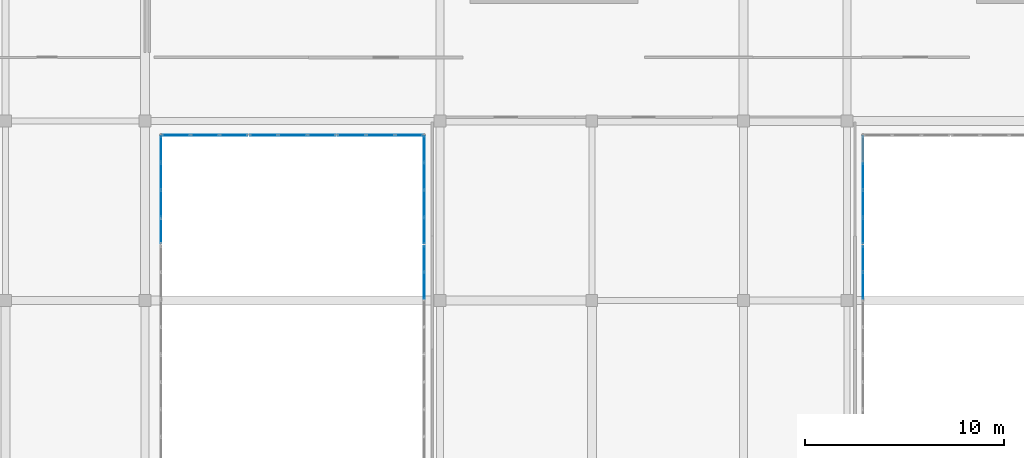
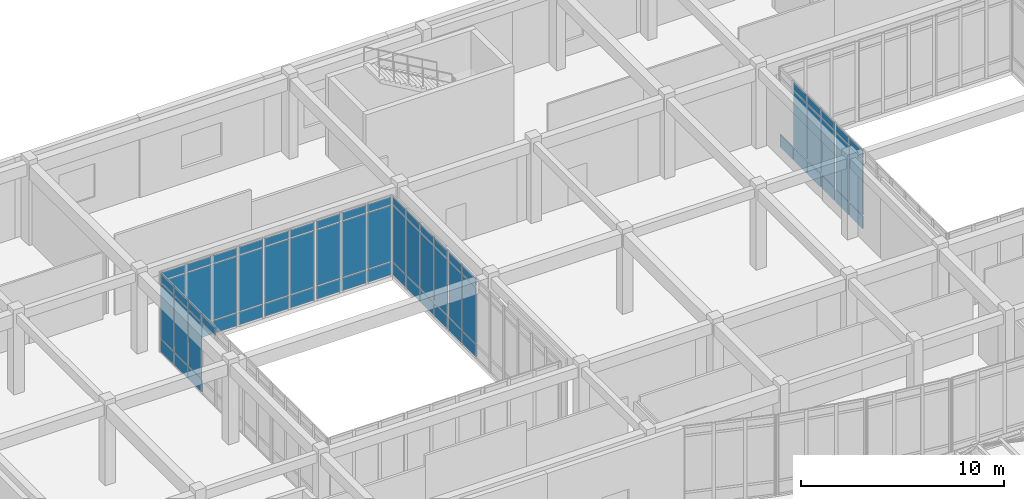
# One storey, part 86 of 121: 71 plates, 8 elements without a shape of their own.
"""IFC4 building model written with IfcOpenShell, lengths in metres."""

from ifc_helpers import new_model, si_unit, direction, frame, origin, origin_2d, place, context, subcontext, project, spatial, rectangle, extrude, material, layer, layer_set, type_object, element, aggregate, save


model = new_model("IFC4")

# Units and contexts
model_context = context("Model", 3, precision=1e-05, world=origin(), true_north=direction((0.0, 1.0)))
body_context = subcontext(model_context, "Body", "Model", "MODEL_VIEW")
ifc_project = project(units=[si_unit("LENGTHUNIT", "METRE"), si_unit("AREAUNIT", "SQUARE_METRE"), si_unit("VOLUMEUNIT", "CUBIC_METRE"), si_unit("PLANEANGLEUNIT", "RADIAN"), si_unit("MASSUNIT", "GRAM", prefix="KILO")], contexts=[model_context])

# Site, building, storey
site_placement = place(None, origin())
site = spatial("IfcSite", under=ifc_project, at=site_placement, CompositionType="ELEMENT")
building_placement = place(site_placement, origin())
building = spatial("IfcBuilding", under=site, at=building_placement, Name="Valcora Specialist Clinic", CompositionType="ELEMENT")
storey_placement = place(building_placement, origin())
storey = spatial("IfcBuildingStorey", under=building, at=storey_placement, Name="L00", CompositionType="ELEMENT", Elevation=0.0)

# Curtain wall, plates
ifc_material_1 = material(Name="Anodized Bronze Aluminium 6063-T6", Category="aluminium")
ifc_layer_1 = layer(ifc_material_1, 0.175048828125)
ifc_layer_set_1 = layer_set([ifc_layer_1], Name="Anodized Bronze Aluminium 6063-T6")
curtain_wall_type = type_object("IfcCurtainWallType", Name="TY-CW-CRT15", PredefinedType="NOTDEFINED", material=ifc_layer_set_1)
curtain_wall_1_placement = place(storey_placement, origin())
curtain_wall_1 = element("IfcCurtainWall", 1, at=curtain_wall_1_placement, inside=storey, type_object=curtain_wall_type, Name="Curtain wall CW-L00-034", PredefinedType="NOTDEFINED")
ifc_material_2 = material(Name="Low-E Laminated Insulating Glass", Category="glass")
ifc_layer_2 = layer(ifc_material_2, 0.028076171875)
ifc_layer_set_2 = layer_set([ifc_layer_2], Name="Low-E Laminated Insulating Glass")
plate_type_1 = type_object("IfcPlateType", Name="TY-CWP-GLZ28", PredefinedType="CURTAIN_PANEL", material=ifc_layer_set_2)
plate_1_placement = place(storey_placement, frame((90.0, 93.703857421875, 0.88232421875), z_axis=(0.0, 0.0, 1.0), x_axis=(0.0, 1.0, 0.0)))
plate_1 = element("IfcPlate", 2, at=plate_1_placement, type_object=plate_type_1, Name="CW-CRT-15 panel 1.2", PredefinedType="CURTAIN_PANEL", context=body_context, shape_type="SweptSolid", body=[
    extrude(rectangle(XDim=1.277587890625, YDim=0.028076171875, at=origin_2d()), origin(), (0.0, 0.0, 1.0), 3.344970703125),
])
plate_2_placement = place(storey_placement, frame((90.0, 93.703857421875, 4.29248046875), z_axis=(0.0, 0.0, 1.0), x_axis=(0.0, 1.0, 0.0)))
plate_2 = element("IfcPlate", 3, at=plate_2_placement, type_object=plate_type_1, Name="CW-CRT-15 panel 1.3", PredefinedType="CURTAIN_PANEL", context=body_context, shape_type="SweptSolid", body=[
    extrude(rectangle(XDim=1.277587890625, YDim=0.028076171875, at=origin_2d()), origin(), (0.0, 0.0, 1.0), 0.452392578125),
])
plate_3_placement = place(storey_placement, frame((90.0, 95.0625, 0.88232421875), z_axis=(0.0, 0.0, 1.0), x_axis=(0.0, 1.0, 0.0)))
plate_3 = element("IfcPlate", 4, at=plate_3_placement, type_object=plate_type_1, Name="CW-CRT-15 panel 2.2", PredefinedType="CURTAIN_PANEL", context=body_context, shape_type="SweptSolid", body=[
    extrude(rectangle(XDim=1.31005859375, YDim=0.028076171875, at=origin_2d()), origin(), (0.0, 0.0, 1.0), 3.344970703125),
])
plate_4_placement = place(storey_placement, frame((90.0, 95.0625, 4.29248046875), z_axis=(0.0, 0.0, 1.0), x_axis=(0.0, 1.0, 0.0)))
plate_4 = element("IfcPlate", 5, at=plate_4_placement, type_object=plate_type_1, Name="CW-CRT-15 panel 2.3", PredefinedType="CURTAIN_PANEL", context=body_context, shape_type="SweptSolid", body=[
    extrude(rectangle(XDim=1.31005859375, YDim=0.028076171875, at=origin_2d()), origin(), (0.0, 0.0, 1.0), 0.452392578125),
])
plate_5_placement = place(storey_placement, frame((90.0, 96.4375, 0.88232421875), z_axis=(0.0, 0.0, 1.0), x_axis=(0.0, 1.0, 0.0)))
plate_5 = element("IfcPlate", 6, at=plate_5_placement, type_object=plate_type_1, Name="CW-CRT-15 panel 3.2", PredefinedType="CURTAIN_PANEL", context=body_context, shape_type="SweptSolid", body=[
    extrude(rectangle(XDim=1.31005859375, YDim=0.028076171875, at=origin_2d()), origin(), (0.0, 0.0, 1.0), 3.344970703125),
])
plate_6_placement = place(storey_placement, frame((90.0, 96.4375, 4.29248046875), z_axis=(0.0, 0.0, 1.0), x_axis=(0.0, 1.0, 0.0)))
plate_6 = element("IfcPlate", 7, at=plate_6_placement, type_object=plate_type_1, Name="CW-CRT-15 panel 3.3", PredefinedType="CURTAIN_PANEL", context=body_context, shape_type="SweptSolid", body=[
    extrude(rectangle(XDim=1.31005859375, YDim=0.028076171875, at=origin_2d()), origin(), (0.0, 0.0, 1.0), 0.452392578125),
])
plate_7_placement = place(storey_placement, frame((90.0, 97.796142578125, 0.88232421875), z_axis=(0.0, 0.0, 1.0), x_axis=(0.0, 1.0, 0.0)))
plate_7 = element("IfcPlate", 8, at=plate_7_placement, type_object=plate_type_1, Name="CW-CRT-15 panel 4.2", PredefinedType="CURTAIN_PANEL", context=body_context, shape_type="SweptSolid", body=[
    extrude(rectangle(XDim=1.277587890625, YDim=0.028076171875, at=origin_2d()), origin(), (0.0, 0.0, 1.0), 3.344970703125),
])
plate_8_placement = place(storey_placement, frame((90.0, 97.796142578125, 4.29248046875), z_axis=(0.0, 0.0, 1.0), x_axis=(0.0, 1.0, 0.0)))
plate_8 = element("IfcPlate", 9, at=plate_8_placement, type_object=plate_type_1, Name="CW-CRT-15 panel 4.3", PredefinedType="CURTAIN_PANEL", context=body_context, shape_type="SweptSolid", body=[
    extrude(rectangle(XDim=1.277587890625, YDim=0.028076171875, at=origin_2d()), origin(), (0.0, 0.0, 1.0), 0.452392578125),
])

curtain_wall_2_placement = place(storey_placement, origin())
curtain_wall_2 = element("IfcCurtainWall", 10, at=curtain_wall_2_placement, inside=storey, type_object=curtain_wall_type, Name="Curtain wall CW-L00-036", PredefinedType="NOTDEFINED")
plate_9_placement = place(storey_placement, frame((84.850341796875, 98.5, 0.88232421875), z_axis=(0.0, 0.0, 1.0), x_axis=(-1.0, 0.0, 0.0)))
plate_9 = element("IfcPlate", 11, at=plate_9_placement, type_object=plate_type_1, Name="CW-CRT-15 panel 1.2", PredefinedType="CURTAIN_PANEL", context=body_context, shape_type="SweptSolid", body=[
    extrude(rectangle(XDim=1.369140625, YDim=0.028076171875, at=origin_2d()), origin(), (0.0, 0.0, 1.0), 3.344970703125),
])
plate_10_placement = place(storey_placement, frame((84.850341796875, 98.5, 4.29248046875), z_axis=(0.0, 0.0, 1.0), x_axis=(-1.0, 0.0, 0.0)))
plate_10 = element("IfcPlate", 12, at=plate_10_placement, type_object=plate_type_1, Name="CW-CRT-15 panel 1.3", PredefinedType="CURTAIN_PANEL", context=body_context, shape_type="SweptSolid", body=[
    extrude(rectangle(XDim=1.369140625, YDim=0.028076171875, at=origin_2d()), origin(), (0.0, 0.0, 1.0), 0.452392578125),
])
plate_11_placement = place(storey_placement, frame((83.39990234375, 98.5, 0.88232421875), z_axis=(0.0, 0.0, 1.0), x_axis=(-1.0, 0.0, 0.0)))
plate_11 = element("IfcPlate", 13, at=plate_11_placement, type_object=plate_type_1, Name="CW-CRT-15 panel 2.2", PredefinedType="CURTAIN_PANEL", context=body_context, shape_type="SweptSolid", body=[
    extrude(rectangle(XDim=1.401611328125, YDim=0.028076171875, at=origin_2d()), origin(), (0.0, 0.0, 1.0), 3.344970703125),
])
plate_12_placement = place(storey_placement, frame((83.39990234375, 98.5, 4.29248046875), z_axis=(0.0, 0.0, 1.0), x_axis=(-1.0, 0.0, 0.0)))
plate_12 = element("IfcPlate", 14, at=plate_12_placement, type_object=plate_type_1, Name="CW-CRT-15 panel 2.3", PredefinedType="CURTAIN_PANEL", context=body_context, shape_type="SweptSolid", body=[
    extrude(rectangle(XDim=1.401611328125, YDim=0.028076171875, at=origin_2d()), origin(), (0.0, 0.0, 1.0), 0.452392578125),
])
plate_13_placement = place(storey_placement, frame((81.949462890625, 98.5, 0.88232421875), z_axis=(0.0, 0.0, 1.0), x_axis=(-1.0, 0.0, 0.0)))
plate_13 = element("IfcPlate", 15, at=plate_13_placement, type_object=plate_type_1, Name="CW-CRT-15 panel 3.2", PredefinedType="CURTAIN_PANEL", context=body_context, shape_type="SweptSolid", body=[
    extrude(rectangle(XDim=1.369140625, YDim=0.028076171875, at=origin_2d()), origin(), (0.0, 0.0, 1.0), 3.344970703125),
])
plate_14_placement = place(storey_placement, frame((81.949462890625, 98.5, 4.29248046875), z_axis=(0.0, 0.0, 1.0), x_axis=(-1.0, 0.0, 0.0)))
plate_14 = element("IfcPlate", 16, at=plate_14_placement, type_object=plate_type_1, Name="CW-CRT-15 panel 3.3", PredefinedType="CURTAIN_PANEL", context=body_context, shape_type="SweptSolid", body=[
    extrude(rectangle(XDim=1.369140625, YDim=0.028076171875, at=origin_2d()), origin(), (0.0, 0.0, 1.0), 0.452392578125),
])

curtain_wall_3_placement = place(storey_placement, origin())
curtain_wall_3 = element("IfcCurtainWall", 17, at=curtain_wall_3_placement, inside=storey, type_object=curtain_wall_type, Name="Curtain wall CW-L00-038", PredefinedType="NOTDEFINED")
plate_15_placement = place(storey_placement, frame((76.800048828125, 97.796142578125, 0.88232421875), z_axis=(0.0, 0.0, 1.0), x_axis=(0.0, -1.0, 0.0)))
plate_15 = element("IfcPlate", 18, at=plate_15_placement, type_object=plate_type_1, Name="CW-CRT-15 panel 1.2", PredefinedType="CURTAIN_PANEL", context=body_context, shape_type="SweptSolid", body=[
    extrude(rectangle(XDim=1.277587890625, YDim=0.028076171875, at=origin_2d()), origin(), (0.0, 0.0, 1.0), 3.344970703125),
])
plate_16_placement = place(storey_placement, frame((76.800048828125, 97.796142578125, 4.29248046875), z_axis=(0.0, 0.0, 1.0), x_axis=(0.0, -1.0, 0.0)))
plate_16 = element("IfcPlate", 19, at=plate_16_placement, type_object=plate_type_1, Name="CW-CRT-15 panel 1.3", PredefinedType="CURTAIN_PANEL", context=body_context, shape_type="SweptSolid", body=[
    extrude(rectangle(XDim=1.277587890625, YDim=0.028076171875, at=origin_2d()), origin(), (0.0, 0.0, 1.0), 0.452392578125),
])
plate_17_placement = place(storey_placement, frame((76.800048828125, 96.4375, 0.88232421875), z_axis=(0.0, 0.0, 1.0), x_axis=(0.0, -1.0, 0.0)))
plate_17 = element("IfcPlate", 20, at=plate_17_placement, type_object=plate_type_1, Name="CW-CRT-15 panel 2.2", PredefinedType="CURTAIN_PANEL", context=body_context, shape_type="SweptSolid", body=[
    extrude(rectangle(XDim=1.31005859375, YDim=0.028076171875, at=origin_2d()), origin(), (0.0, 0.0, 1.0), 3.344970703125),
])
plate_18_placement = place(storey_placement, frame((76.800048828125, 96.4375, 4.29248046875), z_axis=(0.0, 0.0, 1.0), x_axis=(0.0, -1.0, 0.0)))
plate_18 = element("IfcPlate", 21, at=plate_18_placement, type_object=plate_type_1, Name="CW-CRT-15 panel 2.3", PredefinedType="CURTAIN_PANEL", context=body_context, shape_type="SweptSolid", body=[
    extrude(rectangle(XDim=1.31005859375, YDim=0.028076171875, at=origin_2d()), origin(), (0.0, 0.0, 1.0), 0.452392578125),
])
plate_19_placement = place(storey_placement, frame((76.800048828125, 95.0625, 0.88232421875), z_axis=(0.0, 0.0, 1.0), x_axis=(0.0, -1.0, 0.0)))
plate_19 = element("IfcPlate", 22, at=plate_19_placement, type_object=plate_type_1, Name="CW-CRT-15 panel 3.2", PredefinedType="CURTAIN_PANEL", context=body_context, shape_type="SweptSolid", body=[
    extrude(rectangle(XDim=1.31005859375, YDim=0.028076171875, at=origin_2d()), origin(), (0.0, 0.0, 1.0), 3.344970703125),
])
plate_20_placement = place(storey_placement, frame((76.800048828125, 95.0625, 4.29248046875), z_axis=(0.0, 0.0, 1.0), x_axis=(0.0, -1.0, 0.0)))
plate_20 = element("IfcPlate", 23, at=plate_20_placement, type_object=plate_type_1, Name="CW-CRT-15 panel 3.3", PredefinedType="CURTAIN_PANEL", context=body_context, shape_type="SweptSolid", body=[
    extrude(rectangle(XDim=1.31005859375, YDim=0.028076171875, at=origin_2d()), origin(), (0.0, 0.0, 1.0), 0.452392578125),
])
plate_21_placement = place(storey_placement, frame((76.800048828125, 93.703857421875, 4.29248046875), z_axis=(0.0, 0.0, 1.0), x_axis=(0.0, -1.0, 0.0)))
plate_21 = element("IfcPlate", 24, at=plate_21_placement, type_object=plate_type_1, Name="CW-CRT-15 panel 4.3", PredefinedType="CURTAIN_PANEL", context=body_context, shape_type="SweptSolid", body=[
    extrude(rectangle(XDim=1.277587890625, YDim=0.028076171875, at=origin_2d()), origin(), (0.0, 0.0, 1.0), 0.452392578125),
])

curtain_wall_4_placement = place(storey_placement, origin())
curtain_wall_4 = element("IfcCurtainWall", 25, at=curtain_wall_4_placement, inside=storey, type_object=curtain_wall_type, Name="Curtain wall CW-L00-050", PredefinedType="NOTDEFINED")
plate_22_placement = place(storey_placement, frame((112.0, 96.4375, 0.88232421875), z_axis=(0.0, 0.0, 1.0), x_axis=(0.0, -1.0, 0.0)))
plate_22 = element("IfcPlate", 26, at=plate_22_placement, type_object=plate_type_1, Name="CW-CRT-15 panel 2.2", PredefinedType="CURTAIN_PANEL", context=body_context, shape_type="SweptSolid", body=[
    extrude(rectangle(XDim=1.31005859375, YDim=0.028076171875, at=origin_2d()), origin(), (0.0, 0.0, 1.0), 3.344970703125),
])
plate_23_placement = place(storey_placement, frame((112.0, 96.4375, 4.29248046875), z_axis=(0.0, 0.0, 1.0), x_axis=(0.0, -1.0, 0.0)))
plate_23 = element("IfcPlate", 27, at=plate_23_placement, type_object=plate_type_1, Name="CW-CRT-15 panel 2.3", PredefinedType="CURTAIN_PANEL", context=body_context, shape_type="SweptSolid", body=[
    extrude(rectangle(XDim=1.31005859375, YDim=0.028076171875, at=origin_2d()), origin(), (0.0, 0.0, 1.0), 0.452392578125),
])
plate_24_placement = place(storey_placement, frame((112.0, 95.0625, 0.88232421875), z_axis=(0.0, 0.0, 1.0), x_axis=(0.0, -1.0, 0.0)))
plate_24 = element("IfcPlate", 28, at=plate_24_placement, type_object=plate_type_1, Name="CW-CRT-15 panel 3.2", PredefinedType="CURTAIN_PANEL", context=body_context, shape_type="SweptSolid", body=[
    extrude(rectangle(XDim=1.31005859375, YDim=0.028076171875, at=origin_2d()), origin(), (0.0, 0.0, 1.0), 3.344970703125),
])
plate_25_placement = place(storey_placement, frame((112.0, 95.0625, 4.29248046875), z_axis=(0.0, 0.0, 1.0), x_axis=(0.0, -1.0, 0.0)))
plate_25 = element("IfcPlate", 29, at=plate_25_placement, type_object=plate_type_1, Name="CW-CRT-15 panel 3.3", PredefinedType="CURTAIN_PANEL", context=body_context, shape_type="SweptSolid", body=[
    extrude(rectangle(XDim=1.31005859375, YDim=0.028076171875, at=origin_2d()), origin(), (0.0, 0.0, 1.0), 0.452392578125),
])
plate_26_placement = place(storey_placement, frame((112.0, 93.703857421875, 0.88232421875), z_axis=(0.0, 0.0, 1.0), x_axis=(0.0, -1.0, 0.0)))
plate_26 = element("IfcPlate", 30, at=plate_26_placement, type_object=plate_type_1, Name="CW-CRT-15 panel 4.2", PredefinedType="CURTAIN_PANEL", context=body_context, shape_type="SweptSolid", body=[
    extrude(rectangle(XDim=1.277587890625, YDim=0.028076171875, at=origin_2d()), origin(), (0.0, 0.0, 1.0), 3.344970703125),
])
plate_27_placement = place(storey_placement, frame((112.0, 93.703857421875, 4.29248046875), z_axis=(0.0, 0.0, 1.0), x_axis=(0.0, -1.0, 0.0)))
plate_27 = element("IfcPlate", 31, at=plate_27_placement, type_object=plate_type_1, Name="CW-CRT-15 panel 4.3", PredefinedType="CURTAIN_PANEL", context=body_context, shape_type="SweptSolid", body=[
    extrude(rectangle(XDim=1.277587890625, YDim=0.028076171875, at=origin_2d()), origin(), (0.0, 0.0, 1.0), 0.452392578125),
])

curtain_wall_5_placement = place(storey_placement, origin())
curtain_wall_5 = element("IfcCurtainWall", 32, at=curtain_wall_5_placement, inside=storey, type_object=curtain_wall_type, Name="Curtain wall CW-L00-033", PredefinedType="NOTDEFINED")
ifc_layer_3 = layer(ifc_material_2, 0.033935546875)
ifc_layer_set_3 = layer_set([ifc_layer_3], Name="Low-E Laminated Insulating Glass")
plate_type_2 = type_object("IfcPlateType", Name="TY-CWP-GLZ34", PredefinedType="CURTAIN_PANEL", material=ifc_layer_set_3)
plate_28_placement = place(storey_placement, frame((90.0, 90.9375, 0.88232421875), z_axis=(0.0, 0.0, 1.0), x_axis=(0.0, 1.0, 0.0)))
plate_28 = element("IfcPlate", 33, at=plate_28_placement, type_object=plate_type_2, Name="CW-CRT-15 panel 3.2", PredefinedType="CURTAIN_PANEL", context=body_context, shape_type="SweptSolid", body=[
    extrude(rectangle(XDim=1.31005859375, YDim=0.033935546875, at=origin_2d()), origin(), (0.0, 0.0, 1.0), 3.344970703125),
])
plate_29_placement = place(storey_placement, frame((90.0, 90.9375, 4.29248046875), z_axis=(0.0, 0.0, 1.0), x_axis=(0.0, 1.0, 0.0)))
plate_29 = element("IfcPlate", 34, at=plate_29_placement, type_object=plate_type_2, Name="CW-CRT-15 panel 3.3", PredefinedType="CURTAIN_PANEL", context=body_context, shape_type="SweptSolid", body=[
    extrude(rectangle(XDim=1.31005859375, YDim=0.033935546875, at=origin_2d()), origin(), (0.0, 0.0, 1.0), 0.452392578125),
])
plate_30_placement = place(storey_placement, frame((90.0, 92.296142578125, 0.88232421875), z_axis=(0.0, 0.0, 1.0), x_axis=(0.0, 1.0, 0.0)))
plate_30 = element("IfcPlate", 35, at=plate_30_placement, type_object=plate_type_2, Name="CW-CRT-15 panel 4.2", PredefinedType="CURTAIN_PANEL", context=body_context, shape_type="SweptSolid", body=[
    extrude(rectangle(XDim=1.277587890625, YDim=0.033935546875, at=origin_2d()), origin(), (0.0, 0.0, 1.0), 3.344970703125),
])
plate_31_placement = place(storey_placement, frame((90.0, 92.296142578125, 4.29248046875), z_axis=(0.0, 0.0, 1.0), x_axis=(0.0, 1.0, 0.0)))
plate_31 = element("IfcPlate", 36, at=plate_31_placement, type_object=plate_type_2, Name="CW-CRT-15 panel 4.3", PredefinedType="CURTAIN_PANEL", context=body_context, shape_type="SweptSolid", body=[
    extrude(rectangle(XDim=1.277587890625, YDim=0.033935546875, at=origin_2d()), origin(), (0.0, 0.0, 1.0), 0.452392578125),
])

curtain_wall_6_placement = place(storey_placement, origin())
curtain_wall_6 = element("IfcCurtainWall", 37, at=curtain_wall_6_placement, inside=storey, type_object=curtain_wall_type, Name="Curtain wall CW-L00-035", PredefinedType="NOTDEFINED")
plate_32_placement = place(storey_placement, frame((89.25048828125, 98.5, 0.88232421875), z_axis=(0.0, 0.0, 1.0), x_axis=(-1.0, 0.0, 0.0)))
plate_32 = element("IfcPlate", 38, at=plate_32_placement, type_object=plate_type_2, Name="CW-CRT-15 panel 1.2", PredefinedType="CURTAIN_PANEL", context=body_context, shape_type="SweptSolid", body=[
    extrude(rectangle(XDim=1.369140625, YDim=0.033935546875, at=origin_2d()), origin(), (0.0, 0.0, 1.0), 3.344970703125),
])
plate_33_placement = place(storey_placement, frame((89.25048828125, 98.5, 4.29248046875), z_axis=(0.0, 0.0, 1.0), x_axis=(-1.0, 0.0, 0.0)))
plate_33 = element("IfcPlate", 39, at=plate_33_placement, type_object=plate_type_2, Name="CW-CRT-15 panel 1.3", PredefinedType="CURTAIN_PANEL", context=body_context, shape_type="SweptSolid", body=[
    extrude(rectangle(XDim=1.369140625, YDim=0.033935546875, at=origin_2d()), origin(), (0.0, 0.0, 1.0), 0.452392578125),
])
plate_34_placement = place(storey_placement, frame((87.800048828125, 98.5, 0.88232421875), z_axis=(0.0, 0.0, 1.0), x_axis=(-1.0, 0.0, 0.0)))
plate_34 = element("IfcPlate", 40, at=plate_34_placement, type_object=plate_type_2, Name="CW-CRT-15 panel 2.2", PredefinedType="CURTAIN_PANEL", context=body_context, shape_type="SweptSolid", body=[
    extrude(rectangle(XDim=1.401611328125, YDim=0.033935546875, at=origin_2d()), origin(), (0.0, 0.0, 1.0), 3.344970703125),
])
plate_35_placement = place(storey_placement, frame((87.800048828125, 98.5, 4.29248046875), z_axis=(0.0, 0.0, 1.0), x_axis=(-1.0, 0.0, 0.0)))
plate_35 = element("IfcPlate", 41, at=plate_35_placement, type_object=plate_type_2, Name="CW-CRT-15 panel 2.3", PredefinedType="CURTAIN_PANEL", context=body_context, shape_type="SweptSolid", body=[
    extrude(rectangle(XDim=1.401611328125, YDim=0.033935546875, at=origin_2d()), origin(), (0.0, 0.0, 1.0), 0.452392578125),
])
plate_36_placement = place(storey_placement, frame((86.349609375, 98.5, 0.88232421875), z_axis=(0.0, 0.0, 1.0), x_axis=(-1.0, 0.0, 0.0)))
plate_36 = element("IfcPlate", 42, at=plate_36_placement, type_object=plate_type_2, Name="CW-CRT-15 panel 3.2", PredefinedType="CURTAIN_PANEL", context=body_context, shape_type="SweptSolid", body=[
    extrude(rectangle(XDim=1.369140625, YDim=0.033935546875, at=origin_2d()), origin(), (0.0, 0.0, 1.0), 3.344970703125),
])
plate_37_placement = place(storey_placement, frame((86.349609375, 98.5, 4.29248046875), z_axis=(0.0, 0.0, 1.0), x_axis=(-1.0, 0.0, 0.0)))
plate_37 = element("IfcPlate", 43, at=plate_37_placement, type_object=plate_type_2, Name="CW-CRT-15 panel 3.3", PredefinedType="CURTAIN_PANEL", context=body_context, shape_type="SweptSolid", body=[
    extrude(rectangle(XDim=1.369140625, YDim=0.033935546875, at=origin_2d()), origin(), (0.0, 0.0, 1.0), 0.452392578125),
])

curtain_wall_7_placement = place(storey_placement, origin())
curtain_wall_7 = element("IfcCurtainWall", 44, at=curtain_wall_7_placement, inside=storey, type_object=curtain_wall_type, Name="Curtain wall CW-L00-037", PredefinedType="NOTDEFINED")
plate_38_placement = place(storey_placement, frame((80.450439453125, 98.5, 0.88232421875), z_axis=(0.0, 0.0, 1.0), x_axis=(-1.0, 0.0, 0.0)))
plate_38 = element("IfcPlate", 45, at=plate_38_placement, type_object=plate_type_2, Name="CW-CRT-15 panel 1.2", PredefinedType="CURTAIN_PANEL", context=body_context, shape_type="SweptSolid", body=[
    extrude(rectangle(XDim=1.369140625, YDim=0.033935546875, at=origin_2d()), origin(), (0.0, 0.0, 1.0), 3.344970703125),
])
plate_39_placement = place(storey_placement, frame((80.450439453125, 98.5, 4.29248046875), z_axis=(0.0, 0.0, 1.0), x_axis=(-1.0, 0.0, 0.0)))
plate_39 = element("IfcPlate", 46, at=plate_39_placement, type_object=plate_type_2, Name="CW-CRT-15 panel 1.3", PredefinedType="CURTAIN_PANEL", context=body_context, shape_type="SweptSolid", body=[
    extrude(rectangle(XDim=1.369140625, YDim=0.033935546875, at=origin_2d()), origin(), (0.0, 0.0, 1.0), 0.452392578125),
])
plate_40_placement = place(storey_placement, frame((79.0, 98.5, 0.88232421875), z_axis=(0.0, 0.0, 1.0), x_axis=(-1.0, 0.0, 0.0)))
plate_40 = element("IfcPlate", 47, at=plate_40_placement, type_object=plate_type_2, Name="CW-CRT-15 panel 2.2", PredefinedType="CURTAIN_PANEL", context=body_context, shape_type="SweptSolid", body=[
    extrude(rectangle(XDim=1.401611328125, YDim=0.033935546875, at=origin_2d()), origin(), (0.0, 0.0, 1.0), 3.344970703125),
])
plate_41_placement = place(storey_placement, frame((79.0, 98.5, 4.29248046875), z_axis=(0.0, 0.0, 1.0), x_axis=(-1.0, 0.0, 0.0)))
plate_41 = element("IfcPlate", 48, at=plate_41_placement, type_object=plate_type_2, Name="CW-CRT-15 panel 2.3", PredefinedType="CURTAIN_PANEL", context=body_context, shape_type="SweptSolid", body=[
    extrude(rectangle(XDim=1.401611328125, YDim=0.033935546875, at=origin_2d()), origin(), (0.0, 0.0, 1.0), 0.452392578125),
])
plate_42_placement = place(storey_placement, frame((77.549560546875, 98.5, 0.88232421875), z_axis=(0.0, 0.0, 1.0), x_axis=(-1.0, 0.0, 0.0)))
plate_42 = element("IfcPlate", 49, at=plate_42_placement, type_object=plate_type_2, Name="CW-CRT-15 panel 3.2", PredefinedType="CURTAIN_PANEL", context=body_context, shape_type="SweptSolid", body=[
    extrude(rectangle(XDim=1.369140625, YDim=0.033935546875, at=origin_2d()), origin(), (0.0, 0.0, 1.0), 3.344970703125),
])
plate_43_placement = place(storey_placement, frame((77.549560546875, 98.5, 4.29248046875), z_axis=(0.0, 0.0, 1.0), x_axis=(-1.0, 0.0, 0.0)))
plate_43 = element("IfcPlate", 50, at=plate_43_placement, type_object=plate_type_2, Name="CW-CRT-15 panel 3.3", PredefinedType="CURTAIN_PANEL", context=body_context, shape_type="SweptSolid", body=[
    extrude(rectangle(XDim=1.369140625, YDim=0.033935546875, at=origin_2d()), origin(), (0.0, 0.0, 1.0), 0.452392578125),
])

curtain_wall_8_placement = place(storey_placement, origin())
curtain_wall_8 = element("IfcCurtainWall", 51, at=curtain_wall_8_placement, inside=storey, type_object=curtain_wall_type, Name="Curtain wall CW-L00-051", PredefinedType="NOTDEFINED")
plate_44_placement = place(storey_placement, frame((112.0, 92.296142578125, 0.88232421875), z_axis=(0.0, 0.0, 1.0), x_axis=(0.0, -1.0, 0.0)))
plate_44 = element("IfcPlate", 52, at=plate_44_placement, type_object=plate_type_2, Name="CW-CRT-15 panel 1.2", PredefinedType="CURTAIN_PANEL", context=body_context, shape_type="SweptSolid", body=[
    extrude(rectangle(XDim=1.277587890625, YDim=0.033935546875, at=origin_2d()), origin(), (0.0, 0.0, 1.0), 3.344970703125),
])
plate_45_placement = place(storey_placement, frame((112.0, 92.296142578125, 4.29248046875), z_axis=(0.0, 0.0, 1.0), x_axis=(0.0, -1.0, 0.0)))
plate_45 = element("IfcPlate", 53, at=plate_45_placement, type_object=plate_type_2, Name="CW-CRT-15 panel 1.3", PredefinedType="CURTAIN_PANEL", context=body_context, shape_type="SweptSolid", body=[
    extrude(rectangle(XDim=1.277587890625, YDim=0.033935546875, at=origin_2d()), origin(), (0.0, 0.0, 1.0), 0.452392578125),
])
plate_46_placement = place(storey_placement, frame((112.0, 90.9375, 0.88232421875), z_axis=(0.0, 0.0, 1.0), x_axis=(0.0, -1.0, 0.0)))
plate_46 = element("IfcPlate", 54, at=plate_46_placement, type_object=plate_type_2, Name="CW-CRT-15 panel 2.2", PredefinedType="CURTAIN_PANEL", context=body_context, shape_type="SweptSolid", body=[
    extrude(rectangle(XDim=1.31005859375, YDim=0.033935546875, at=origin_2d()), origin(), (0.0, 0.0, 1.0), 3.344970703125),
])
plate_47_placement = place(storey_placement, frame((112.0, 90.9375, 4.29248046875), z_axis=(0.0, 0.0, 1.0), x_axis=(0.0, -1.0, 0.0)))
plate_47 = element("IfcPlate", 55, at=plate_47_placement, type_object=plate_type_2, Name="CW-CRT-15 panel 2.3", PredefinedType="CURTAIN_PANEL", context=body_context, shape_type="SweptSolid", body=[
    extrude(rectangle(XDim=1.31005859375, YDim=0.033935546875, at=origin_2d()), origin(), (0.0, 0.0, 1.0), 0.452392578125),
])

# Plate
ifc_material_3 = material(Name="Insulated Spandrel Panel")
ifc_layer_4 = layer(ifc_material_3, 0.044921875)
ifc_layer_set_4 = layer_set([ifc_layer_4], Name="Insulated Spandrel Panel")
plate_type_3 = type_object("IfcPlateType", Name="TY-CWP-SPN45", PredefinedType="SHEET", material=ifc_layer_set_4)
plate_48_placement = place(storey_placement, frame((90.0, 90.9375, 0.06494140625), z_axis=(0.0, 0.0, 1.0), x_axis=(0.0, 1.0, 0.0)))
plate_48 = element("IfcPlate", 56, at=plate_48_placement, type_object=plate_type_3, Name="CW-CRT-15 panel 3.1", PredefinedType="SHEET", context=body_context, shape_type="SweptSolid", body=[
    extrude(rectangle(XDim=1.31005859375, YDim=0.044921875, at=origin_2d()), origin(), (0.0, 0.0, 1.0), 0.75244140625),
])

plate_49_placement = place(storey_placement, frame((90.0, 92.296142578125, 0.06494140625), z_axis=(0.0, 0.0, 1.0), x_axis=(0.0, 1.0, 0.0)))
plate_49 = element("IfcPlate", 57, at=plate_49_placement, type_object=plate_type_3, Name="CW-CRT-15 panel 4.1", PredefinedType="SHEET", context=body_context, shape_type="SweptSolid", body=[
    extrude(rectangle(XDim=1.277587890625, YDim=0.044921875, at=origin_2d()), origin(), (0.0, 0.0, 1.0), 0.75244140625),
])

aggregate(curtain_wall_5, [plate_48, plate_28, plate_29, plate_49, plate_30, plate_31])

plate_50_placement = place(storey_placement, frame((90.0, 93.703857421875, 0.06494140625), z_axis=(0.0, 0.0, 1.0), x_axis=(0.0, 1.0, 0.0)))
plate_50 = element("IfcPlate", 58, at=plate_50_placement, type_object=plate_type_3, Name="CW-CRT-15 panel 1.1", PredefinedType="SHEET", context=body_context, shape_type="SweptSolid", body=[
    extrude(rectangle(XDim=1.277587890625, YDim=0.044921875, at=origin_2d()), origin(), (0.0, 0.0, 1.0), 0.75244140625),
])

plate_51_placement = place(storey_placement, frame((90.0, 95.0625, 0.06494140625), z_axis=(0.0, 0.0, 1.0), x_axis=(0.0, 1.0, 0.0)))
plate_51 = element("IfcPlate", 59, at=plate_51_placement, type_object=plate_type_3, Name="CW-CRT-15 panel 2.1", PredefinedType="SHEET", context=body_context, shape_type="SweptSolid", body=[
    extrude(rectangle(XDim=1.31005859375, YDim=0.044921875, at=origin_2d()), origin(), (0.0, 0.0, 1.0), 0.75244140625),
])

plate_52_placement = place(storey_placement, frame((90.0, 96.4375, 0.06494140625), z_axis=(0.0, 0.0, 1.0), x_axis=(0.0, 1.0, 0.0)))
plate_52 = element("IfcPlate", 60, at=plate_52_placement, type_object=plate_type_3, Name="CW-CRT-15 panel 3.1", PredefinedType="SHEET", context=body_context, shape_type="SweptSolid", body=[
    extrude(rectangle(XDim=1.31005859375, YDim=0.044921875, at=origin_2d()), origin(), (0.0, 0.0, 1.0), 0.75244140625),
])

plate_53_placement = place(storey_placement, frame((90.0, 97.796142578125, 0.06494140625), z_axis=(0.0, 0.0, 1.0), x_axis=(0.0, 1.0, 0.0)))
plate_53 = element("IfcPlate", 61, at=plate_53_placement, type_object=plate_type_3, Name="CW-CRT-15 panel 4.1", PredefinedType="SHEET", context=body_context, shape_type="SweptSolid", body=[
    extrude(rectangle(XDim=1.277587890625, YDim=0.044921875, at=origin_2d()), origin(), (0.0, 0.0, 1.0), 0.75244140625),
])

aggregate(curtain_wall_1, [plate_50, plate_1, plate_2, plate_51, plate_3, plate_4, plate_52, plate_5, plate_6, plate_53, plate_7, plate_8])

plate_54_placement = place(storey_placement, frame((89.25048828125, 98.5, 0.06494140625), z_axis=(0.0, 0.0, 1.0), x_axis=(-1.0, 0.0, 0.0)))
plate_54 = element("IfcPlate", 62, at=plate_54_placement, type_object=plate_type_3, Name="CW-CRT-15 panel 1.1", PredefinedType="SHEET", context=body_context, shape_type="SweptSolid", body=[
    extrude(rectangle(XDim=1.369140625, YDim=0.044921875, at=origin_2d()), origin(), (0.0, 0.0, 1.0), 0.75244140625),
])

plate_55_placement = place(storey_placement, frame((87.800048828125, 98.5, 0.06494140625), z_axis=(0.0, 0.0, 1.0), x_axis=(-1.0, 0.0, 0.0)))
plate_55 = element("IfcPlate", 63, at=plate_55_placement, type_object=plate_type_3, Name="CW-CRT-15 panel 2.1", PredefinedType="SHEET", context=body_context, shape_type="SweptSolid", body=[
    extrude(rectangle(XDim=1.401611328125, YDim=0.044921875, at=origin_2d()), origin(), (0.0, 0.0, 1.0), 0.75244140625),
])

plate_56_placement = place(storey_placement, frame((86.349609375, 98.5, 0.06494140625), z_axis=(0.0, 0.0, 1.0), x_axis=(-1.0, 0.0, 0.0)))
plate_56 = element("IfcPlate", 64, at=plate_56_placement, type_object=plate_type_3, Name="CW-CRT-15 panel 3.1", PredefinedType="SHEET", context=body_context, shape_type="SweptSolid", body=[
    extrude(rectangle(XDim=1.369140625, YDim=0.044921875, at=origin_2d()), origin(), (0.0, 0.0, 1.0), 0.75244140625),
])

aggregate(curtain_wall_6, [plate_54, plate_32, plate_33, plate_55, plate_34, plate_35, plate_56, plate_36, plate_37])

plate_57_placement = place(storey_placement, frame((84.850341796875, 98.5, 0.06494140625), z_axis=(0.0, 0.0, 1.0), x_axis=(-1.0, 0.0, 0.0)))
plate_57 = element("IfcPlate", 65, at=plate_57_placement, type_object=plate_type_3, Name="CW-CRT-15 panel 1.1", PredefinedType="SHEET", context=body_context, shape_type="SweptSolid", body=[
    extrude(rectangle(XDim=1.369140625, YDim=0.044921875, at=origin_2d()), origin(), (0.0, 0.0, 1.0), 0.75244140625),
])

plate_58_placement = place(storey_placement, frame((83.39990234375, 98.5, 0.06494140625), z_axis=(0.0, 0.0, 1.0), x_axis=(-1.0, 0.0, 0.0)))
plate_58 = element("IfcPlate", 66, at=plate_58_placement, type_object=plate_type_3, Name="CW-CRT-15 panel 2.1", PredefinedType="SHEET", context=body_context, shape_type="SweptSolid", body=[
    extrude(rectangle(XDim=1.401611328125, YDim=0.044921875, at=origin_2d()), origin(), (0.0, 0.0, 1.0), 0.75244140625),
])

plate_59_placement = place(storey_placement, frame((81.949462890625, 98.5, 0.06494140625), z_axis=(0.0, 0.0, 1.0), x_axis=(-1.0, 0.0, 0.0)))
plate_59 = element("IfcPlate", 67, at=plate_59_placement, type_object=plate_type_3, Name="CW-CRT-15 panel 3.1", PredefinedType="SHEET", context=body_context, shape_type="SweptSolid", body=[
    extrude(rectangle(XDim=1.369140625, YDim=0.044921875, at=origin_2d()), origin(), (0.0, 0.0, 1.0), 0.75244140625),
])

aggregate(curtain_wall_2, [plate_57, plate_9, plate_10, plate_58, plate_11, plate_12, plate_59, plate_13, plate_14])

plate_60_placement = place(storey_placement, frame((80.450439453125, 98.5, 0.06494140625), z_axis=(0.0, 0.0, 1.0), x_axis=(-1.0, 0.0, 0.0)))
plate_60 = element("IfcPlate", 68, at=plate_60_placement, type_object=plate_type_3, Name="CW-CRT-15 panel 1.1", PredefinedType="SHEET", context=body_context, shape_type="SweptSolid", body=[
    extrude(rectangle(XDim=1.369140625, YDim=0.044921875, at=origin_2d()), origin(), (0.0, 0.0, 1.0), 0.75244140625),
])

plate_61_placement = place(storey_placement, frame((79.0, 98.5, 0.06494140625), z_axis=(0.0, 0.0, 1.0), x_axis=(-1.0, 0.0, 0.0)))
plate_61 = element("IfcPlate", 69, at=plate_61_placement, type_object=plate_type_3, Name="CW-CRT-15 panel 2.1", PredefinedType="SHEET", context=body_context, shape_type="SweptSolid", body=[
    extrude(rectangle(XDim=1.401611328125, YDim=0.044921875, at=origin_2d()), origin(), (0.0, 0.0, 1.0), 0.75244140625),
])

plate_62_placement = place(storey_placement, frame((77.549560546875, 98.5, 0.06494140625), z_axis=(0.0, 0.0, 1.0), x_axis=(-1.0, 0.0, 0.0)))
plate_62 = element("IfcPlate", 70, at=plate_62_placement, type_object=plate_type_3, Name="CW-CRT-15 panel 3.1", PredefinedType="SHEET", context=body_context, shape_type="SweptSolid", body=[
    extrude(rectangle(XDim=1.369140625, YDim=0.044921875, at=origin_2d()), origin(), (0.0, 0.0, 1.0), 0.75244140625),
])

aggregate(curtain_wall_7, [plate_60, plate_38, plate_39, plate_61, plate_40, plate_41, plate_62, plate_42, plate_43])

plate_63_placement = place(storey_placement, frame((76.800048828125, 97.796142578125, 0.06494140625), z_axis=(0.0, 0.0, 1.0), x_axis=(0.0, -1.0, 0.0)))
plate_63 = element("IfcPlate", 71, at=plate_63_placement, type_object=plate_type_3, Name="CW-CRT-15 panel 1.1", PredefinedType="SHEET", context=body_context, shape_type="SweptSolid", body=[
    extrude(rectangle(XDim=1.277587890625, YDim=0.044921875, at=origin_2d()), origin(), (0.0, 0.0, 1.0), 0.75244140625),
])

plate_64_placement = place(storey_placement, frame((76.800048828125, 96.4375, 0.06494140625), z_axis=(0.0, 0.0, 1.0), x_axis=(0.0, -1.0, 0.0)))
plate_64 = element("IfcPlate", 72, at=plate_64_placement, type_object=plate_type_3, Name="CW-CRT-15 panel 2.1", PredefinedType="SHEET", context=body_context, shape_type="SweptSolid", body=[
    extrude(rectangle(XDim=1.31005859375, YDim=0.044921875, at=origin_2d()), origin(), (0.0, 0.0, 1.0), 0.75244140625),
])

plate_65_placement = place(storey_placement, frame((76.800048828125, 95.0625, 0.06494140625), z_axis=(0.0, 0.0, 1.0), x_axis=(0.0, -1.0, 0.0)))
plate_65 = element("IfcPlate", 73, at=plate_65_placement, type_object=plate_type_3, Name="CW-CRT-15 panel 3.1", PredefinedType="SHEET", context=body_context, shape_type="SweptSolid", body=[
    extrude(rectangle(XDim=1.31005859375, YDim=0.044921875, at=origin_2d()), origin(), (0.0, 0.0, 1.0), 0.75244140625),
])

aggregate(curtain_wall_3, [plate_63, plate_15, plate_16, plate_64, plate_17, plate_18, plate_65, plate_19, plate_20, plate_21])

plate_66_placement = place(storey_placement, frame((112.0, 97.796142578125, 0.06494140625), z_axis=(0.0, 0.0, 1.0), x_axis=(0.0, -1.0, 0.0)))
plate_66 = element("IfcPlate", 74, at=plate_66_placement, type_object=plate_type_3, Name="CW-CRT-15 panel 1.1", PredefinedType="SHEET", context=body_context, shape_type="SweptSolid", body=[
    extrude(rectangle(XDim=1.277587890625, YDim=0.044921875, at=origin_2d()), origin(), (0.0, 0.0, 1.0), 0.75244140625),
])

plate_67_placement = place(storey_placement, frame((112.0, 96.4375, 0.06494140625), z_axis=(0.0, 0.0, 1.0), x_axis=(0.0, -1.0, 0.0)))
plate_67 = element("IfcPlate", 75, at=plate_67_placement, type_object=plate_type_3, Name="CW-CRT-15 panel 2.1", PredefinedType="SHEET", context=body_context, shape_type="SweptSolid", body=[
    extrude(rectangle(XDim=1.31005859375, YDim=0.044921875, at=origin_2d()), origin(), (0.0, 0.0, 1.0), 0.75244140625),
])

plate_68_placement = place(storey_placement, frame((112.0, 95.0625, 0.06494140625), z_axis=(0.0, 0.0, 1.0), x_axis=(0.0, -1.0, 0.0)))
plate_68 = element("IfcPlate", 76, at=plate_68_placement, type_object=plate_type_3, Name="CW-CRT-15 panel 3.1", PredefinedType="SHEET", context=body_context, shape_type="SweptSolid", body=[
    extrude(rectangle(XDim=1.31005859375, YDim=0.044921875, at=origin_2d()), origin(), (0.0, 0.0, 1.0), 0.75244140625),
])

plate_69_placement = place(storey_placement, frame((112.0, 93.703857421875, 0.06494140625), z_axis=(0.0, 0.0, 1.0), x_axis=(0.0, -1.0, 0.0)))
plate_69 = element("IfcPlate", 77, at=plate_69_placement, type_object=plate_type_3, Name="CW-CRT-15 panel 4.1", PredefinedType="SHEET", context=body_context, shape_type="SweptSolid", body=[
    extrude(rectangle(XDim=1.277587890625, YDim=0.044921875, at=origin_2d()), origin(), (0.0, 0.0, 1.0), 0.75244140625),
])

aggregate(curtain_wall_4, [plate_66, plate_67, plate_22, plate_23, plate_68, plate_24, plate_25, plate_69, plate_26, plate_27])

plate_70_placement = place(storey_placement, frame((112.0, 92.296142578125, 0.06494140625), z_axis=(0.0, 0.0, 1.0), x_axis=(0.0, -1.0, 0.0)))
plate_70 = element("IfcPlate", 78, at=plate_70_placement, type_object=plate_type_3, Name="CW-CRT-15 panel 1.1", PredefinedType="SHEET", context=body_context, shape_type="SweptSolid", body=[
    extrude(rectangle(XDim=1.277587890625, YDim=0.044921875, at=origin_2d()), origin(), (0.0, 0.0, 1.0), 0.75244140625),
])

plate_71_placement = place(storey_placement, frame((112.0, 90.9375, 0.06494140625), z_axis=(0.0, 0.0, 1.0), x_axis=(0.0, -1.0, 0.0)))
plate_71 = element("IfcPlate", 79, at=plate_71_placement, type_object=plate_type_3, Name="CW-CRT-15 panel 2.1", PredefinedType="SHEET", context=body_context, shape_type="SweptSolid", body=[
    extrude(rectangle(XDim=1.31005859375, YDim=0.044921875, at=origin_2d()), origin(), (0.0, 0.0, 1.0), 0.75244140625),
])

aggregate(curtain_wall_8, [plate_70, plate_44, plate_45, plate_71, plate_46, plate_47])

save(model, "model.ifc")
